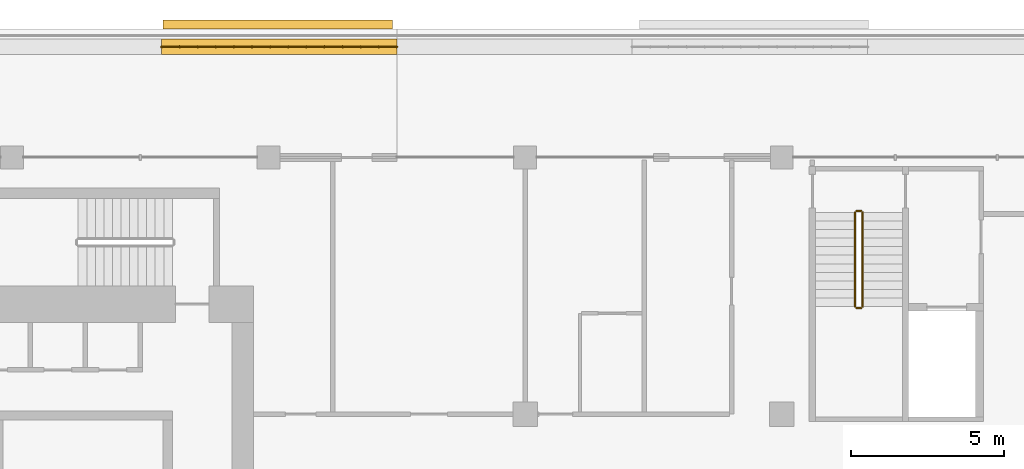
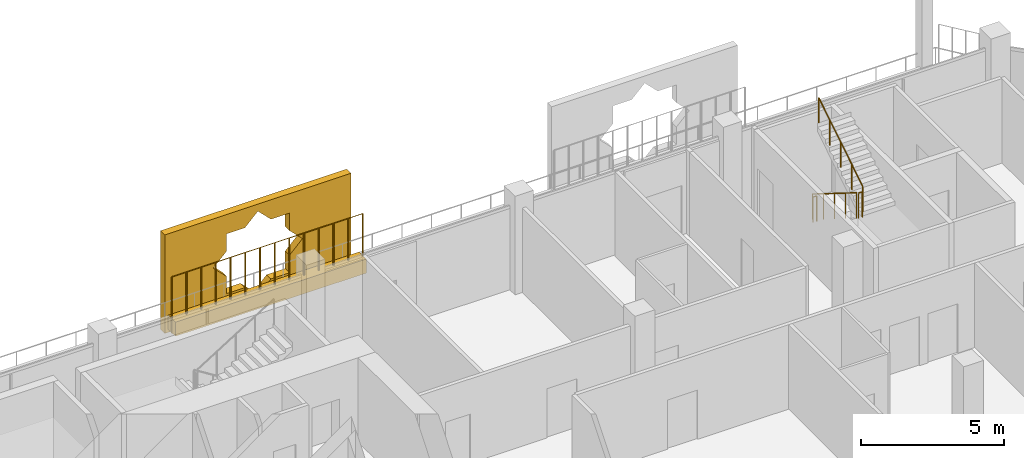
# One storey, part 20 of 21: 5 railings, 2 coverings.
"""IFC4 building model written with IfcOpenShell, lengths in metres."""

import ifcopenshell
import ifcopenshell.guid

model = None  # the IFC model being written
_history = None  # IfcOwnerHistory: only IFC2X3 demands one
_inside = {}  # id of a spatial element -> (the spatial element, [elements in it])
_under = {}  # id of a project, library or spatial element -> (it, [spatial elements below it])
_declared = {}  # id of a project -> (the project, [libraries it declares])
_typed = {}  # id of a type object -> (the type object, [elements of that type])
_made_of = {}  # id of a material, layer set ... -> (it, [elements and type objects made of it])


def new_model(schema):
    """Start an empty IFC model of exactly this schema.

    Asked for "IFC4X3", IfcOpenShell would pick the latest addendum, in which some entities
    have other attributes; the version numbers below select the first issue.
    IFC2X3 requires an IfcOwnerHistory on every rooted entity: one is made here for all.
    """
    global model, _history
    if schema == "IFC4X3":
        model = ifcopenshell.file(schema_version=(4, 3, 0, 0))
    else:
        model = ifcopenshell.file(schema=schema)
    _inside.clear()
    _under.clear()
    _declared.clear()
    _typed.clear()
    _made_of.clear()
    _history = None
    if model.schema == "IFC2X3":
        org = make("IfcOrganization", Name="unknown")
        user = make(
            "IfcPersonAndOrganization",
            ThePerson=make("IfcPerson", FamilyName="unknown"),
            TheOrganization=org,
        )
        app = make(
            "IfcApplication",
            ApplicationDeveloper=org,
            Version="unknown",
            ApplicationFullName="unknown",
            ApplicationIdentifier="unknown",
        )
        _history = make(
            "IfcOwnerHistory",
            OwningUser=user,
            OwningApplication=app,
            ChangeAction="ADDED",
            CreationDate=0,
        )
    return model


def make(cls, **values):
    """One entity of the class cls with the attributes given. An attribute that is None is left unset."""
    return model.create_entity(
        cls, **{name: value for name, value in values.items() if value is not None}
    )


def rooted(cls, **values):
    """An entity with a GlobalId (a new one), such as an element, a storey or a relation."""
    return make(cls, GlobalId=ifcopenshell.guid.new(), OwnerHistory=_history, **values)


def si_unit(unit_type, name, prefix=None):
    """IfcSIUnit, for example si_unit("LENGTHUNIT", "METRE", prefix="MILLI")."""
    return make("IfcSIUnit", UnitType=unit_type, Prefix=prefix, Name=name)


def assignment(units):
    """IfcUnitAssignment: the units of a project."""
    return None if units is None else make("IfcUnitAssignment", Units=units)


def point(xyz):
    """IfcCartesianPoint."""
    return None if xyz is None else make("IfcCartesianPoint", Coordinates=xyz)


def direction(xyz):
    """IfcDirection."""
    return None if xyz is None else make("IfcDirection", DirectionRatios=xyz)


def frame(location, z_axis=None, x_axis=None):
    """IfcAxis2Placement3D, a coordinate frame: its origin and axes. An axis left out is left unset."""
    return make(
        "IfcAxis2Placement3D",
        Location=point(location),
        Axis=direction(z_axis),
        RefDirection=direction(x_axis),
    )


def frame_2d(location, x_axis=None):
    """IfcAxis2Placement2D, a coordinate frame in the plane: its origin and x axis."""
    return make(
        "IfcAxis2Placement2D", Location=point(location), RefDirection=direction(x_axis)
    )


def origin():
    """The frame at (0, 0, 0) with its axes left unset."""
    return frame((0.0, 0.0, 0.0))


def origin_2d():
    """The frame at (0, 0) in the plane with its x axis left unset."""
    return frame_2d((0.0, 0.0))


def place(relative_to, where):
    """IfcLocalPlacement: puts the frame where relative to a parent placement (None: the world)."""
    return make(
        "IfcLocalPlacement", PlacementRelTo=relative_to, RelativePlacement=where
    )


def context(
    kind, dimensions, precision=None, world=None, true_north=None, identifier=None
):
    """IfcGeometricRepresentationContext, for example the 3D "Model" context."""
    return make(
        "IfcGeometricRepresentationContext",
        ContextIdentifier=identifier,
        ContextType=kind,
        CoordinateSpaceDimension=dimensions,
        Precision=precision,
        WorldCoordinateSystem=world,
        TrueNorth=true_north,
    )


def subcontext(parent, identifier, kind, view, scale=None):
    """IfcGeometricRepresentationSubContext, for example "Body" below "Model"."""
    return make(
        "IfcGeometricRepresentationSubContext",
        ContextIdentifier=identifier,
        ContextType=kind,
        ParentContext=parent,
        TargetScale=scale,
        TargetView=view,
    )


def project(units=None, contexts=None):
    """IfcProject with its units and contexts."""
    return rooted(
        "IfcProject",
        Name="project",
        RepresentationContexts=contexts,
        UnitsInContext=assignment(units),
    )


def spatial(cls, under=None, at=None, **own):
    """A site, building, storey or space (cls), placed at a placement, below another one or the project."""
    s = rooted(cls, ObjectPlacement=at, **own)
    if under is not None:
        _under.setdefault(under.id(), (under, []))[1].append(s)
    return s


def polyline(points):
    """IfcPolyline through the points."""
    return make("IfcPolyline", Points=[point(p) for p in points])


def profile(cls, at=None, kind="AREA", **sizes):
    """A parametric profile (cls). Its sizes go by their IFC names, for example OverallWidth=200.0."""
    return make(cls, ProfileType=kind, Position=at, **sizes)


def rectangle(**sizes):
    """IfcRectangleProfileDef."""
    return profile("IfcRectangleProfileDef", **sizes)


def circle(**sizes):
    """IfcCircleProfileDef."""
    return profile("IfcCircleProfileDef", **sizes)


def outline(outer, holes=None, kind="AREA"):
    """IfcArbitraryClosedProfileDef: a profile drawn as a closed curve; with holes, ...WithVoids."""
    if holes is None:
        return make("IfcArbitraryClosedProfileDef", ProfileType=kind, OuterCurve=outer)
    return make(
        "IfcArbitraryProfileDefWithVoids",
        ProfileType=kind,
        OuterCurve=outer,
        InnerCurves=holes,
    )


def extrude(swept, where, along, depth):
    """IfcExtrudedAreaSolid: the profile swept, set in the frame where, extruded along a direction by depth."""
    return make(
        "IfcExtrudedAreaSolid",
        SweptArea=swept,
        Position=where,
        ExtrudedDirection=direction(along),
        Depth=depth,
    )


def shape(context_of_items, identifier, shape_type, items):
    """IfcShapeRepresentation: the items that make up one representation, for example the "Body"."""
    return make(
        "IfcShapeRepresentation",
        ContextOfItems=context_of_items,
        RepresentationIdentifier=identifier,
        RepresentationType=shape_type,
        Items=items,
    )


def material(Name=None, Category=None):
    """IfcMaterial."""
    return make("IfcMaterial", Name=Name, Category=Category)


def material_profile(
    of_material, cross_section, Name=None, Category=None, Priority=None
):
    """IfcMaterialProfile: a cross section and its material."""
    return make(
        "IfcMaterialProfile",
        Name=Name,
        Material=of_material,
        Profile=cross_section,
        Priority=Priority,
        Category=Category,
    )


def profile_set(profiles, Name=None, composite=None):
    """IfcMaterialProfileSet."""
    return make(
        "IfcMaterialProfileSet",
        Name=Name,
        MaterialProfiles=profiles,
        CompositeProfile=composite,
    )


def made_of(thing, what):
    """Note that an element or type object is made of a material, layer set ...; save() writes the relation."""
    if what is not None:
        _made_of.setdefault(what.id(), (what, []))[1].append(thing)
    return thing


def type_object(cls, material=None, **own):
    """A type object (cls), such as IfcWallType, which elements share."""
    return made_of(rooted(cls, **own), material)


def element(
    cls,
    number,
    at=None,
    inside=None,
    cuts=None,
    type_object=None,
    material=None,
    context=None,
    identifier="Body",
    shape_type=None,
    held_by="IfcProductDefinitionShape",
    body=None,
    shapes=None,
    **own,
):
    """One element of the class cls, such as IfcWall. Its Tag is "e" and its number.

    at: its placement. inside: the storey or other place that contains it. cuts: it is an
    opening in that element (IfcRelVoidsElement). A single representation is given by context,
    identifier, shape_type and body (its items); several are given by shapes. held_by: the class
    of the entity that holds the representations. save() writes the other relations.
    """
    e = rooted(cls, Tag="e%d" % number, ObjectPlacement=at, **own)
    if body is not None:
        shapes = [shape(context, identifier, shape_type, body)]
    if shapes is not None:
        e.Representation = make(held_by, Representations=shapes)
    if inside is not None:
        _inside.setdefault(inside.id(), (inside, []))[1].append(e)
    if cuts is not None:
        rooted(
            "IfcRelVoidsElement", RelatingBuildingElement=cuts, RelatedOpeningElement=e
        )
    if type_object is not None:
        _typed.setdefault(type_object.id(), (type_object, []))[1].append(e)
    return made_of(e, material)


def aggregate(whole, parts):
    """IfcRelAggregates: a whole, such as a stair, and the parts it consists of."""
    return rooted("IfcRelAggregates", RelatingObject=whole, RelatedObjects=parts)


def save(model, path):
    """Write the relations noted so far, then the file.

    IfcRelAggregates (storeys below a building ...), IfcRelContainedInSpatialStructure (elements
    in a storey), IfcRelDefinesByType, IfcRelAssociatesMaterial and IfcRelDeclares: one each for
    every whole, place, type object, material and project.
    """
    for whole, parts in _under.values():
        aggregate(whole, parts)
    for where, things in _inside.values():
        rooted(
            "IfcRelContainedInSpatialStructure",
            RelatedElements=things,
            RelatingStructure=where,
        )
    for kind, things in _typed.values():
        rooted("IfcRelDefinesByType", RelatedObjects=things, RelatingType=kind)
    for what, things in _made_of.values():
        rooted("IfcRelAssociatesMaterial", RelatedObjects=things, RelatingMaterial=what)
    for by, libraries in _declared.values():
        rooted("IfcRelDeclares", RelatingContext=by, RelatedDefinitions=libraries)
    model.write(path)


model = new_model("IFC4")

# Units and contexts
model_context = context("Model", 3, precision=1e-05, world=origin(), true_north=direction((0.0, 1.0)))
body_context = subcontext(model_context, "Body", "Model", "MODEL_VIEW")
ifc_project = project(units=[si_unit("LENGTHUNIT", "METRE"), si_unit("AREAUNIT", "SQUARE_METRE"), si_unit("VOLUMEUNIT", "CUBIC_METRE"), si_unit("PLANEANGLEUNIT", "RADIAN"), si_unit("MASSUNIT", "GRAM", prefix="KILO")], contexts=[model_context])

# Site, building, storey
site_placement = place(None, origin())
site = spatial("IfcSite", under=ifc_project, at=site_placement, CompositionType="ELEMENT")
building_placement = place(site_placement, origin())
building = spatial("IfcBuilding", under=site, at=building_placement, Name="Kawkab Arch Medical Tower", CompositionType="ELEMENT")
storey_placement = place(building_placement, frame((0.0, 0.0, 323.800048828125)))
storey = spatial("IfcBuildingStorey", under=building, at=storey_placement, Name="L75", CompositionType="ELEMENT", Elevation=323.800048828125)

# Coverings
ifc_material_1 = material(Name="Bronze anodised aluminium mashrabiya panel, eight-point star pattern", Category="aluminium")
ifc_material_profile_1 = material_profile(ifc_material_1, outline(polyline([(-3.75, -2.10009765625), (3.75, -2.10009765625), (3.75, 2.10009765625), (-3.75, 2.10009765625), (-3.75, -2.10009765625)]), holes=[polyline([(1.800048828125, 0.0), (1.272705078125, 0.527099609375), (1.272705078125, 1.272705078125), (0.527099609375, 1.272705078125), (0.0, 1.800048828125), (-0.527099609375, 1.272705078125), (-1.272705078125, 1.272705078125), (-1.272705078125, 0.527099609375), (-1.800048828125, 0.0), (-1.272705078125, -0.527099609375), (-1.272705078125, -1.272705078125), (-0.527099609375, -1.272705078125), (0.0, -1.800048828125), (0.527099609375, -1.272705078125), (1.272705078125, -1.272705078125), (1.272705078125, -0.527099609375), (1.800048828125, 0.0)])]), Name="Mashrabiya panel 7500x4200")
ifc_profile_set_1 = profile_set([ifc_material_profile_1], Name="Bronze anodised aluminium mashrabiya panel, eight-point star pattern")
covering_type_1 = type_object("IfcCoveringType", Name="Mashrabiya panel 7500 x 4200", PredefinedType="USERDEFINED", material=ifc_profile_set_1)
covering_1_placement = place(storey_placement, frame((25.500732421875, 4.199951171875, 1.699951171875), z_axis=(0.0, 1.0, 0.0), x_axis=(-1.0, 0.0, 0.0)))
element("IfcCovering", 1, at=covering_1_placement, inside=storey, type_object=covering_type_1, Name="Mashrabiya panel L75.LOG-01-01.4", ObjectType="SCREEN", PredefinedType="USERDEFINED", context=body_context, shape_type="SweptSolid", body=[
    extrude(outline(polyline([(-3.75, -2.10009765625), (3.75, -2.10009765625), (3.75, 2.10009765625), (-3.75, 2.10009765625), (-3.75, -2.10009765625)]), holes=[polyline([(1.800048828125, 0.0), (1.272705078125, 0.527099609375), (1.272705078125, 1.272705078125), (0.527099609375, 1.272705078125), (0.0, 1.800048828125), (-0.527099609375, 1.272705078125), (-1.272705078125, 1.272705078125), (-1.272705078125, 0.527099609375), (-1.800048828125, 0.0), (-1.272705078125, -0.527099609375), (-1.272705078125, -1.272705078125), (-0.527099609375, -1.272705078125), (0.0, -1.800048828125), (0.527099609375, -1.272705078125), (1.272705078125, -1.272705078125), (1.272705078125, -0.527099609375), (1.800048828125, 0.0)])]), origin(), (0.0, 0.0, 1.0), 0.300048828125),
])
ifc_material_2 = material(Name="Planting soil in a precast trough", Category="concrete")
ifc_material_profile_2 = material_profile(ifc_material_2, rectangle(XDim=0.5, YDim=0.60009765625, at=origin_2d()), Name="Trough 500x600")
ifc_profile_set_2 = profile_set([ifc_material_profile_2], Name="Planting soil in a precast trough")
covering_type_2 = type_object("IfcCoveringType", Name="Planter trough 500 x 600", PredefinedType="USERDEFINED", material=ifc_profile_set_2)
covering_2_placement = place(storey_placement, frame((21.695068359375, 3.6201171875, 0.300048828125), z_axis=(1.0, 0.0, 0.0), x_axis=(0.0, 1.0, 0.0)))
element("IfcCovering", 2, at=covering_2_placement, inside=storey, type_object=covering_type_2, Name="Planter L75.LOG-01-01.15", ObjectType="PLANTER", PredefinedType="USERDEFINED", context=body_context, shape_type="SweptSolid", body=[
    extrude(rectangle(XDim=0.5, YDim=0.60009765625, at=origin_2d()), origin(), (0.0, 0.0, 1.0), 7.704833984375),
])

# Railings
ifc_material_3 = material(Name="Bronze anodised aluminium trellis for climbing plants", Category="aluminium")
railing_type_1 = type_object("IfcRailingType", Name="Planting trellis 2400", PredefinedType="USERDEFINED", material=ifc_material_3)
railing_1_placement = place(storey_placement, frame((21.695068359375, 3.6201171875, 0.0)))
element("IfcRailing", 3, at=railing_1_placement, inside=storey, type_object=railing_type_1, Name="Planting trellis L75.LOG-01-01.15", ObjectType="TRELLIS", PredefinedType="USERDEFINED", context=body_context, shape_type="SweptSolid", body=[
    extrude(circle(Radius=0.01513671875, at=origin_2d()), frame((0.0, 0.0, 2.384765625), z_axis=(1.0, 0.0, 0.0), x_axis=(0.0, 1.0, 0.0)), (0.0, 0.0, 1.0), 7.704833984375),
    extrude(circle(Radius=0.030029296875, at=origin_2d()), origin(), (0.0, 0.0, 1.0), 2.369873046875),
    extrude(circle(Radius=0.030029296875, at=origin_2d()), frame((0.5927734375, 0.0, 0.0)), (0.0, 0.0, 1.0), 2.369873046875),
    extrude(circle(Radius=0.030029296875, at=origin_2d()), frame((1.185302734375, 0.0, 0.0)), (0.0, 0.0, 1.0), 2.369873046875),
    extrude(circle(Radius=0.030029296875, at=origin_2d()), frame((1.778076171875, 0.0, 0.0)), (0.0, 0.0, 1.0), 2.369873046875),
    extrude(circle(Radius=0.030029296875, at=origin_2d()), frame((2.37060546875, 0.0, 0.0)), (0.0, 0.0, 1.0), 2.369873046875),
    extrude(circle(Radius=0.030029296875, at=origin_2d()), frame((2.96337890625, 0.0, 0.0)), (0.0, 0.0, 1.0), 2.369873046875),
    extrude(circle(Radius=0.030029296875, at=origin_2d()), frame((3.55615234375, 0.0, 0.0)), (0.0, 0.0, 1.0), 2.369873046875),
    extrude(circle(Radius=0.030029296875, at=origin_2d()), frame((4.148681640625, 0.0, 0.0)), (0.0, 0.0, 1.0), 2.369873046875),
    extrude(circle(Radius=0.030029296875, at=origin_2d()), frame((4.741455078125, 0.0, 0.0)), (0.0, 0.0, 1.0), 2.369873046875),
    extrude(circle(Radius=0.030029296875, at=origin_2d()), frame((5.334228515625, 0.0, 0.0)), (0.0, 0.0, 1.0), 2.369873046875),
    extrude(circle(Radius=0.030029296875, at=origin_2d()), frame((5.9267578125, 0.0, 0.0)), (0.0, 0.0, 1.0), 2.369873046875),
    extrude(circle(Radius=0.030029296875, at=origin_2d()), frame((6.51953125, 0.0, 0.0)), (0.0, 0.0, 1.0), 2.369873046875),
    extrude(circle(Radius=0.030029296875, at=origin_2d()), frame((7.112060546875, 0.0, 0.0)), (0.0, 0.0, 1.0), 2.369873046875),
    extrude(circle(Radius=0.030029296875, at=origin_2d()), frame((7.704833984375, 0.0, 0.0)), (0.0, 0.0, 1.0), 2.369873046875),
])
ifc_material_4 = material(Name="Stainless steel", Category="steel")
railing_type_2 = type_object("IfcRailingType", Name="Stair guard 1100", PredefinedType="GUARDRAIL", material=ifc_material_4)
railing_2_placement = place(storey_placement, frame((44.39990234375, -1.800048828125, 0.175048828125)))
element("IfcRailing", 4, at=railing_2_placement, inside=storey, type_object=railing_type_2, Name="L75 ST5 stair guard 1", PredefinedType="GUARDRAIL", context=body_context, shape_type="SweptSolid", body=[
    extrude(circle(Radius=0.02392578125, at=origin_2d()), frame((0.0, 0.0, 1.076171875), z_axis=(0.0, -0.848009633417, 0.529980812513), x_axis=(1.0, 0.0, 0.0)), (0.0, 0.0, 1.0), 3.6318359375),
    extrude(circle(Radius=0.02099609375, at=origin_2d()), origin(), (0.0, 0.0, 1.0), 1.052001953125),
    extrude(circle(Radius=0.02099609375, at=origin_2d()), frame((0.0, -0.77001953125, 0.481201171875)), (0.0, 0.0, 1.0), 1.052001953125),
    extrude(circle(Radius=0.02099609375, at=origin_2d()), frame((0.0, -1.5400390625, 0.96240234375)), (0.0, 0.0, 1.0), 1.052001953125),
    extrude(circle(Radius=0.02099609375, at=origin_2d()), frame((0.0, -2.309814453125, 1.443603515625)), (0.0, 0.0, 1.0), 1.052001953125),
    extrude(circle(Radius=0.02099609375, at=origin_2d()), frame((0.0, -3.079833984375, 1.9248046875)), (0.0, 0.0, 1.0), 1.052001953125),
])
railing_3_placement = place(storey_placement, frame((44.449951171875, -4.929931640625, 2.099853515625)))
element("IfcRailing", 5, at=railing_3_placement, inside=storey, type_object=railing_type_2, Name="L75 ST5 stair guard 2", PredefinedType="GUARDRAIL", context=body_context, shape_type="SweptSolid", body=[
    extrude(circle(Radius=0.02392578125, at=origin_2d()), frame((0.0, 0.0, 1.076171875), z_axis=(1.0, 0.0, 0.0), x_axis=(0.0, 1.0, 0.0)), (0.0, 0.0, 1.0), 0.150146484375),
    extrude(circle(Radius=0.02099609375, at=origin_2d()), origin(), (0.0, 0.0, 1.0), 1.052001953125),
    extrude(circle(Radius=0.02099609375, at=origin_2d()), frame((0.150146484375, 0.0, 0.0)), (0.0, 0.0, 1.0), 1.052001953125),
])
railing_4_placement = place(storey_placement, frame((44.64990234375, -4.8798828125, 2.27490234375)))
element("IfcRailing", 6, at=railing_4_placement, inside=storey, type_object=railing_type_2, Name="L75 ST5 stair guard 3", PredefinedType="GUARDRAIL", context=body_context, shape_type="SweptSolid", body=[
    extrude(circle(Radius=0.02392578125, at=origin_2d()), frame((0.0, 0.0, 1.076171875), z_axis=(0.0, 0.847979421464, 0.530029150871), x_axis=(-1.0, 0.0, 0.0)), (0.0, 0.0, 1.0), 3.632080078125),
    extrude(circle(Radius=0.02099609375, at=origin_2d()), origin(), (0.0, 0.0, 1.0), 1.052001953125),
    extrude(circle(Radius=0.02099609375, at=origin_2d()), frame((0.0, 0.77001953125, 0.481201171875)), (0.0, 0.0, 1.0), 1.052001953125),
    extrude(circle(Radius=0.02099609375, at=origin_2d()), frame((0.0, 1.5400390625, 0.96240234375)), (0.0, 0.0, 1.0), 1.052001953125),
    extrude(circle(Radius=0.02099609375, at=origin_2d()), frame((0.0, 2.309814453125, 1.44384765625)), (0.0, 0.0, 1.0), 1.052001953125),
    extrude(circle(Radius=0.02099609375, at=origin_2d()), frame((0.0, 3.079833984375, 1.925048828125)), (0.0, 0.0, 1.0), 1.052001953125),
])
railing_5_placement = place(storey_placement, frame((44.449951171875, -1.75, 0.0)))
element("IfcRailing", 7, at=railing_5_placement, inside=storey, type_object=railing_type_2, Name="L75 ST5 stair guard 4", PredefinedType="GUARDRAIL", context=body_context, shape_type="SweptSolid", body=[
    extrude(circle(Radius=0.02392578125, at=origin_2d()), frame((0.0, 0.0, 1.076171875), z_axis=(1.0, 0.0, 0.0), x_axis=(0.0, 1.0, 0.0)), (0.0, 0.0, 1.0), 0.150146484375),
    extrude(circle(Radius=0.02099609375, at=origin_2d()), origin(), (0.0, 0.0, 1.0), 1.052001953125),
    extrude(circle(Radius=0.02099609375, at=origin_2d()), frame((0.150146484375, 0.0, 0.0)), (0.0, 0.0, 1.0), 1.052001953125),
])

save(model, "model.ifc")
